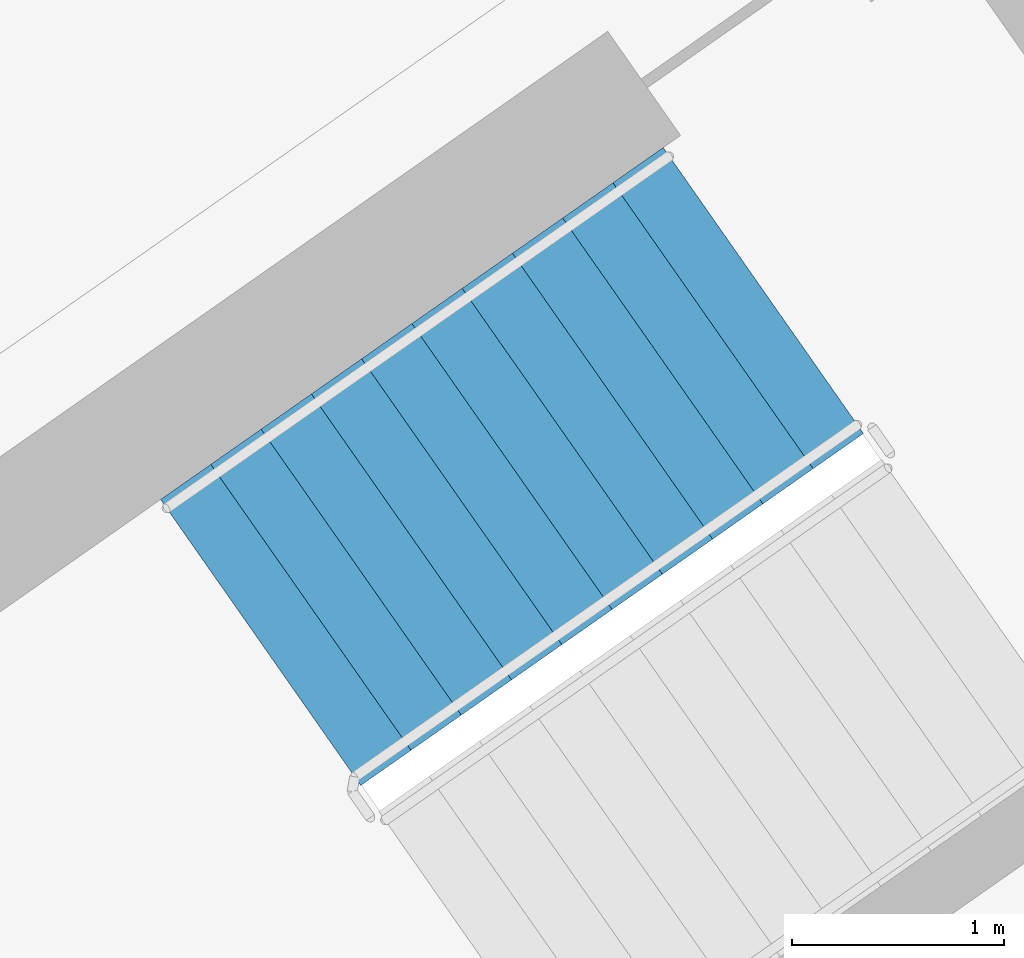
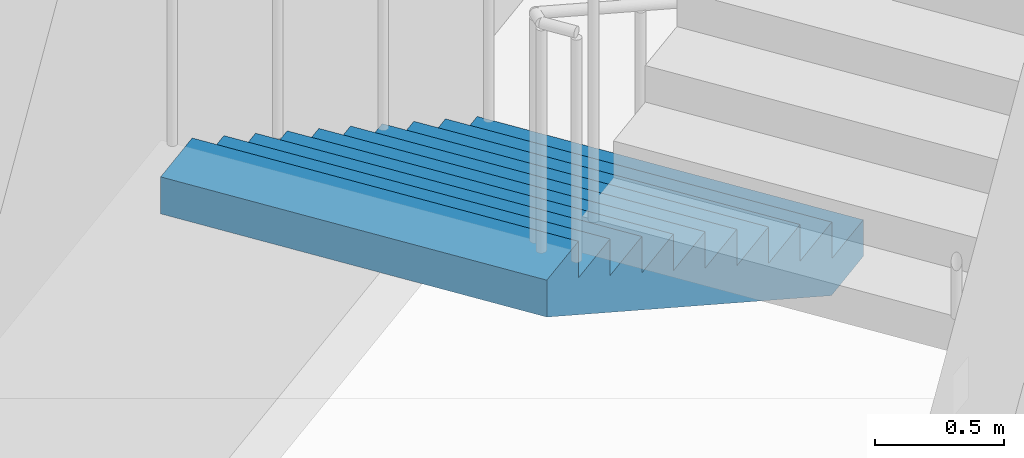
# One storey, part 16 of 29: 1 stair flight, 1 element without a shape of its own.
"""IFC4 building model written with IfcOpenShell, lengths in metres."""

from ifc_helpers import new_model, si_unit, direction, frame, origin, place, context, subcontext, project, spatial, faceted_brep, material, type_object, element, aggregate, save


model = new_model("IFC4")

# Units and contexts
model_context = context("Model", 3, precision=1e-05, world=origin(), true_north=direction((0.0, 1.0)))
body_context = subcontext(model_context, "Body", "Model", "MODEL_VIEW")
ifc_project = project(units=[si_unit("LENGTHUNIT", "METRE"), si_unit("AREAUNIT", "SQUARE_METRE"), si_unit("VOLUMEUNIT", "CUBIC_METRE"), si_unit("PLANEANGLEUNIT", "RADIAN"), si_unit("MASSUNIT", "GRAM", prefix="KILO")], contexts=[model_context])

# Site, building, storey
site_placement = place(None, origin())
site = spatial("IfcSite", under=ifc_project, at=site_placement, CompositionType="ELEMENT")
building_placement = place(site_placement, origin())
building = spatial("IfcBuilding", under=site, at=building_placement, Name="Qamariyya Broadcast Tower", CompositionType="ELEMENT")
storey_placement = place(building_placement, frame((0.0, 0.0, 261.89990234375)))
storey = spatial("IfcBuildingStorey", under=building, at=storey_placement, Name="L63", CompositionType="ELEMENT", Elevation=261.89990234375)

# Stair, stair flight
ifc_material = material(Name="Concrete C50/60", Category="concrete")
stair_type = type_object("IfcStairType", Name="Exit stair 22 risers of 173 mm", PredefinedType="HALF_TURN_STAIR", material=ifc_material)
stair_placement = place(storey_placement, origin())
stair = element("IfcStair", 1, at=stair_placement, inside=storey, type_object=stair_type, Name="L63 Stair E2", PredefinedType="HALF_TURN_STAIR")
stair_flight_type = type_object("IfcStairFlightType", Name="Exit stair flight 11 risers of 173 mm", PredefinedType="STRAIGHT", material=ifc_material)
stair_flight_placement = place(storey_placement, frame((40.558837890625, -47.685302734375, 0.0), z_axis=(0.0, 0.0, 1.0), x_axis=(-0.819152044289, -0.573576436351, 0.0)))
stair_flight = element("IfcStairFlight", 2, at=stair_flight_placement, type_object=stair_flight_type, Name="ST-E2 flight 1", NumberOfRisers=11, NumberOfTreads=10, PredefinedType="STRAIGHT", RiserHeight=0.172727273, TreadLength=0.29, context=body_context, shape_type="Brep", body=[
    faceted_brep([(0.0, 0.824951171875, 0.0), (0.0, 0.824951171875, 0.172607421875), (0.2900390625, 0.824951171875, 0.172607421875), (0.2900390625, 0.824951171875, 0.345458984375), (0.580078125, 0.824951171875, 0.345458984375), (0.580078125, 0.824951171875, 0.51806640625), (0.8701171875, 0.824951171875, 0.51806640625), (0.8701171875, 0.824951171875, 0.69091796875), (1.159912109375, 0.824951171875, 0.69091796875), (1.159912109375, 0.824951171875, 0.863525390625), (1.449951171875, 0.824951171875, 0.863525390625), (1.449951171875, 0.824951171875, 1.036376953125), (1.739990234375, 0.824951171875, 1.036376953125), (1.739990234375, 0.824951171875, 1.208984375), (2.030029296875, 0.824951171875, 1.208984375), (2.030029296875, 0.824951171875, 1.3818359375), (2.320068359375, 0.824951171875, 1.3818359375), (2.320068359375, 0.824951171875, 1.554443359375), (2.610107421875, 0.824951171875, 1.554443359375), (2.610107421875, 0.824951171875, 1.727294921875), (2.89990234375, 0.824951171875, 1.727294921875), (2.89990234375, 0.824951171875, 1.552734375), (0.29296875, 0.824951171875, 0.0), (0.29296875, -0.824951171875, 0.0), (2.89990234375, -0.824951171875, 1.552734375), (2.89990234375, -0.824951171875, 1.727294921875), (2.610107421875, -0.824951171875, 1.727294921875), (2.610107421875, -0.824951171875, 1.554443359375), (2.320068359375, -0.824951171875, 1.554443359375), (2.320068359375, -0.824951171875, 1.3818359375), (2.030029296875, -0.824951171875, 1.3818359375), (2.030029296875, -0.824951171875, 1.208984375), (1.739990234375, -0.824951171875, 1.208984375), (1.739990234375, -0.824951171875, 1.036376953125), (1.449951171875, -0.824951171875, 1.036376953125), (1.449951171875, -0.824951171875, 0.863525390625), (1.159912109375, -0.824951171875, 0.863525390625), (1.159912109375, -0.824951171875, 0.69091796875), (0.8701171875, -0.824951171875, 0.69091796875), (0.8701171875, -0.824951171875, 0.51806640625), (0.580078125, -0.824951171875, 0.51806640625), (0.580078125, -0.824951171875, 0.345458984375), (0.2900390625, -0.824951171875, 0.345458984375), (0.2900390625, -0.824951171875, 0.172607421875), (0.0, -0.824951171875, 0.172607421875), (0.0, -0.824951171875, 0.0), (0.0, 0.10009765625, 0.0), (0.0, 0.086669921875, 0.0), (0.0, 0.0732421875, 0.0), (0.0, 0.06005859375, 0.0), (0.0, 0.046630859375, 0.0), (0.0, 0.033447265625, 0.0), (0.0, 0.02001953125, 0.0), (0.0, 0.006591796875, 0.0), (0.0, -0.006591796875, 0.0), (0.0, -0.02001953125, 0.0), (0.0, -0.033447265625, 0.0), (0.0, -0.046630859375, 0.0), (0.0, -0.06005859375, 0.0), (0.0, -0.0732421875, 0.0), (0.0, -0.086669921875, 0.0), (0.0, -0.10009765625, 0.0), (0.0, -0.10009765625, 0.172607421875), (0.0, -0.086669921875, 0.172607421875), (0.0, -0.0732421875, 0.172607421875), (0.0, -0.06005859375, 0.172607421875), (0.0, -0.046630859375, 0.172607421875), (0.0, -0.033447265625, 0.172607421875), (0.0, -0.02001953125, 0.172607421875), (0.0, -0.006591796875, 0.172607421875), (0.0, 0.006591796875, 0.172607421875), (0.0, 0.02001953125, 0.172607421875), (0.0, 0.033447265625, 0.172607421875), (0.0, 0.046630859375, 0.172607421875), (0.0, 0.06005859375, 0.172607421875), (0.0, 0.0732421875, 0.172607421875), (0.0, 0.086669921875, 0.172607421875), (0.0, 0.10009765625, 0.172607421875), (0.2900390625, -0.10009765625, 0.172607421875), (0.2900390625, -0.086669921875, 0.172607421875), (0.2900390625, -0.0732421875, 0.172607421875), (0.2900390625, -0.06005859375, 0.172607421875), (0.2900390625, -0.046630859375, 0.172607421875), (0.2900390625, -0.033447265625, 0.172607421875), (0.2900390625, -0.02001953125, 0.172607421875), (0.2900390625, -0.006591796875, 0.172607421875), (0.2900390625, 0.006591796875, 0.172607421875), (0.2900390625, 0.02001953125, 0.172607421875), (0.2900390625, 0.033447265625, 0.172607421875), (0.2900390625, 0.046630859375, 0.172607421875), (0.2900390625, 0.06005859375, 0.172607421875), (0.2900390625, 0.0732421875, 0.172607421875), (0.2900390625, 0.086669921875, 0.172607421875), (0.2900390625, 0.10009765625, 0.172607421875), (0.2900390625, -0.10009765625, 0.345458984375), (0.2900390625, -0.086669921875, 0.345458984375), (0.2900390625, -0.0732421875, 0.345458984375), (0.2900390625, -0.06005859375, 0.345458984375), (0.2900390625, -0.046630859375, 0.345458984375), (0.2900390625, -0.033447265625, 0.345458984375), (0.2900390625, -0.02001953125, 0.345458984375), (0.2900390625, -0.006591796875, 0.345458984375), (0.2900390625, 0.006591796875, 0.345458984375), (0.2900390625, 0.02001953125, 0.345458984375), (0.2900390625, 0.033447265625, 0.345458984375), (0.2900390625, 0.046630859375, 0.345458984375), (0.2900390625, 0.06005859375, 0.345458984375), (0.2900390625, 0.0732421875, 0.345458984375), (0.2900390625, 0.086669921875, 0.345458984375), (0.2900390625, 0.10009765625, 0.345458984375), (0.580078125, -0.10009765625, 0.345458984375), (0.580078125, -0.086669921875, 0.345458984375), (0.580078125, -0.0732421875, 0.345458984375), (0.580078125, -0.06005859375, 0.345458984375), (0.580078125, -0.046630859375, 0.345458984375), (0.580078125, -0.033447265625, 0.345458984375), (0.580078125, -0.02001953125, 0.345458984375), (0.580078125, -0.006591796875, 0.345458984375), (0.580078125, 0.006591796875, 0.345458984375), (0.580078125, 0.02001953125, 0.345458984375), (0.580078125, 0.033447265625, 0.345458984375), (0.580078125, 0.046630859375, 0.345458984375), (0.580078125, 0.06005859375, 0.345458984375), (0.580078125, 0.0732421875, 0.345458984375), (0.580078125, 0.086669921875, 0.345458984375), (0.580078125, 0.10009765625, 0.345458984375), (0.580078125, -0.10009765625, 0.51806640625), (0.580078125, -0.086669921875, 0.51806640625), (0.580078125, -0.0732421875, 0.51806640625), (0.580078125, -0.06005859375, 0.51806640625), (0.580078125, -0.046630859375, 0.51806640625), (0.580078125, -0.033447265625, 0.51806640625), (0.580078125, -0.02001953125, 0.51806640625), (0.580078125, -0.006591796875, 0.51806640625), (0.580078125, 0.006591796875, 0.51806640625), (0.580078125, 0.02001953125, 0.51806640625), (0.580078125, 0.033447265625, 0.51806640625), (0.580078125, 0.046630859375, 0.51806640625), (0.580078125, 0.06005859375, 0.51806640625), (0.580078125, 0.0732421875, 0.51806640625), (0.580078125, 0.086669921875, 0.51806640625), (0.580078125, 0.10009765625, 0.51806640625), (0.8701171875, -0.10009765625, 0.51806640625), (0.8701171875, -0.086669921875, 0.51806640625), (0.8701171875, -0.0732421875, 0.51806640625), (0.8701171875, -0.06005859375, 0.51806640625), (0.8701171875, -0.046630859375, 0.51806640625), (0.8701171875, -0.033447265625, 0.51806640625), (0.8701171875, -0.02001953125, 0.51806640625), (0.8701171875, -0.006591796875, 0.51806640625), (0.8701171875, 0.006591796875, 0.51806640625), (0.8701171875, 0.02001953125, 0.51806640625), (0.8701171875, 0.033447265625, 0.51806640625), (0.8701171875, 0.046630859375, 0.51806640625), (0.8701171875, 0.06005859375, 0.51806640625), (0.8701171875, 0.0732421875, 0.51806640625), (0.8701171875, 0.086669921875, 0.51806640625), (0.8701171875, 0.10009765625, 0.51806640625), (0.8701171875, -0.10009765625, 0.69091796875), (0.8701171875, -0.086669921875, 0.69091796875), (0.8701171875, -0.0732421875, 0.69091796875), (0.8701171875, -0.06005859375, 0.69091796875), (0.8701171875, -0.046630859375, 0.69091796875), (0.8701171875, -0.033447265625, 0.69091796875), (0.8701171875, -0.02001953125, 0.69091796875), (0.8701171875, -0.006591796875, 0.69091796875), (0.8701171875, 0.006591796875, 0.69091796875), (0.8701171875, 0.02001953125, 0.69091796875), (0.8701171875, 0.033447265625, 0.69091796875), (0.8701171875, 0.046630859375, 0.69091796875), (0.8701171875, 0.06005859375, 0.69091796875), (0.8701171875, 0.0732421875, 0.69091796875), (0.8701171875, 0.086669921875, 0.69091796875), (0.8701171875, 0.10009765625, 0.69091796875), (1.159912109375, -0.10009765625, 0.69091796875), (1.159912109375, -0.086669921875, 0.69091796875), (1.159912109375, -0.0732421875, 0.69091796875), (1.159912109375, -0.06005859375, 0.69091796875), (1.159912109375, -0.046630859375, 0.69091796875), (1.159912109375, -0.033447265625, 0.69091796875), (1.159912109375, -0.02001953125, 0.69091796875), (1.159912109375, -0.006591796875, 0.69091796875), (1.159912109375, 0.006591796875, 0.69091796875), (1.159912109375, 0.02001953125, 0.69091796875), (1.159912109375, 0.033447265625, 0.69091796875), (1.159912109375, 0.046630859375, 0.69091796875), (1.159912109375, 0.06005859375, 0.69091796875), (1.159912109375, 0.0732421875, 0.69091796875), (1.159912109375, 0.086669921875, 0.69091796875), (1.159912109375, 0.10009765625, 0.69091796875), (1.159912109375, -0.10009765625, 0.863525390625), (1.159912109375, -0.086669921875, 0.863525390625), (1.159912109375, -0.0732421875, 0.863525390625), (1.159912109375, -0.06005859375, 0.863525390625), (1.159912109375, -0.046630859375, 0.863525390625), (1.159912109375, -0.033447265625, 0.863525390625), (1.159912109375, -0.02001953125, 0.863525390625), (1.159912109375, -0.006591796875, 0.863525390625), (1.159912109375, 0.006591796875, 0.863525390625), (1.159912109375, 0.02001953125, 0.863525390625), (1.159912109375, 0.033447265625, 0.863525390625), (1.159912109375, 0.046630859375, 0.863525390625), (1.159912109375, 0.06005859375, 0.863525390625), (1.159912109375, 0.0732421875, 0.863525390625), (1.159912109375, 0.086669921875, 0.863525390625), (1.159912109375, 0.10009765625, 0.863525390625), (1.449951171875, -0.10009765625, 0.863525390625), (1.449951171875, -0.086669921875, 0.863525390625), (1.449951171875, -0.0732421875, 0.863525390625), (1.449951171875, -0.06005859375, 0.863525390625), (1.449951171875, -0.046630859375, 0.863525390625), (1.449951171875, -0.033447265625, 0.863525390625), (1.449951171875, -0.02001953125, 0.863525390625), (1.449951171875, -0.006591796875, 0.863525390625), (1.449951171875, 0.006591796875, 0.863525390625), (1.449951171875, 0.02001953125, 0.863525390625), (1.449951171875, 0.033447265625, 0.863525390625), (1.449951171875, 0.046630859375, 0.863525390625), (1.449951171875, 0.06005859375, 0.863525390625), (1.449951171875, 0.0732421875, 0.863525390625), (1.449951171875, 0.086669921875, 0.863525390625), (1.449951171875, 0.10009765625, 0.863525390625), (1.449951171875, -0.10009765625, 1.036376953125), (1.449951171875, -0.086669921875, 1.036376953125), (1.449951171875, -0.0732421875, 1.036376953125), (1.449951171875, -0.06005859375, 1.036376953125), (1.449951171875, -0.046630859375, 1.036376953125), (1.449951171875, -0.033447265625, 1.036376953125), (1.449951171875, -0.02001953125, 1.036376953125), (1.449951171875, -0.006591796875, 1.036376953125), (1.449951171875, 0.006591796875, 1.036376953125), (1.449951171875, 0.02001953125, 1.036376953125), (1.449951171875, 0.033447265625, 1.036376953125), (1.449951171875, 0.046630859375, 1.036376953125), (1.449951171875, 0.06005859375, 1.036376953125), (1.449951171875, 0.0732421875, 1.036376953125), (1.449951171875, 0.086669921875, 1.036376953125), (1.449951171875, 0.10009765625, 1.036376953125), (1.739990234375, -0.10009765625, 1.036376953125), (1.739990234375, -0.086669921875, 1.036376953125), (1.739990234375, -0.0732421875, 1.036376953125), (1.739990234375, -0.06005859375, 1.036376953125), (1.739990234375, -0.046630859375, 1.036376953125), (1.739990234375, -0.033447265625, 1.036376953125), (1.739990234375, -0.02001953125, 1.036376953125), (1.739990234375, -0.006591796875, 1.036376953125), (1.739990234375, 0.006591796875, 1.036376953125), (1.739990234375, 0.02001953125, 1.036376953125), (1.739990234375, 0.033447265625, 1.036376953125), (1.739990234375, 0.046630859375, 1.036376953125), (1.739990234375, 0.06005859375, 1.036376953125), (1.739990234375, 0.0732421875, 1.036376953125), (1.739990234375, 0.086669921875, 1.036376953125), (1.739990234375, 0.10009765625, 1.036376953125), (1.739990234375, -0.10009765625, 1.208984375), (1.739990234375, -0.086669921875, 1.208984375), (1.739990234375, -0.0732421875, 1.208984375), (1.739990234375, -0.06005859375, 1.208984375), (1.739990234375, -0.046630859375, 1.208984375), (1.739990234375, -0.033447265625, 1.208984375), (1.739990234375, -0.02001953125, 1.208984375), (1.739990234375, -0.006591796875, 1.208984375), (1.739990234375, 0.006591796875, 1.208984375), (1.739990234375, 0.02001953125, 1.208984375), (1.739990234375, 0.033447265625, 1.208984375), (1.739990234375, 0.046630859375, 1.208984375), (1.739990234375, 0.06005859375, 1.208984375), (1.739990234375, 0.0732421875, 1.208984375), (1.739990234375, 0.086669921875, 1.208984375), (1.739990234375, 0.10009765625, 1.208984375), (2.030029296875, -0.10009765625, 1.208984375), (2.030029296875, -0.086669921875, 1.208984375), (2.030029296875, -0.0732421875, 1.208984375), (2.030029296875, -0.06005859375, 1.208984375), (2.030029296875, -0.046630859375, 1.208984375), (2.030029296875, -0.033447265625, 1.208984375), (2.030029296875, -0.02001953125, 1.208984375), (2.030029296875, -0.006591796875, 1.208984375), (2.030029296875, 0.006591796875, 1.208984375), (2.030029296875, 0.02001953125, 1.208984375), (2.030029296875, 0.033447265625, 1.208984375), (2.030029296875, 0.046630859375, 1.208984375), (2.030029296875, 0.06005859375, 1.208984375), (2.030029296875, 0.0732421875, 1.208984375), (2.030029296875, 0.086669921875, 1.208984375), (2.030029296875, 0.10009765625, 1.208984375), (2.030029296875, -0.10009765625, 1.3818359375), (2.030029296875, -0.086669921875, 1.3818359375), (2.030029296875, -0.0732421875, 1.3818359375), (2.030029296875, -0.06005859375, 1.3818359375), (2.030029296875, -0.046630859375, 1.3818359375), (2.030029296875, -0.033447265625, 1.3818359375), (2.030029296875, -0.02001953125, 1.3818359375), (2.030029296875, -0.006591796875, 1.3818359375), (2.030029296875, 0.006591796875, 1.3818359375), (2.030029296875, 0.02001953125, 1.3818359375), (2.030029296875, 0.033447265625, 1.3818359375), (2.030029296875, 0.046630859375, 1.3818359375), (2.030029296875, 0.06005859375, 1.3818359375), (2.030029296875, 0.0732421875, 1.3818359375), (2.030029296875, 0.086669921875, 1.3818359375), (2.030029296875, 0.10009765625, 1.3818359375), (2.320068359375, -0.10009765625, 1.3818359375), (2.320068359375, -0.086669921875, 1.3818359375), (2.320068359375, -0.0732421875, 1.3818359375), (2.320068359375, -0.06005859375, 1.3818359375), (2.320068359375, -0.046630859375, 1.3818359375), (2.320068359375, -0.033447265625, 1.3818359375), (2.320068359375, -0.02001953125, 1.3818359375), (2.320068359375, -0.006591796875, 1.3818359375), (2.320068359375, 0.006591796875, 1.3818359375), (2.320068359375, 0.02001953125, 1.3818359375), (2.320068359375, 0.033447265625, 1.3818359375), (2.320068359375, 0.046630859375, 1.3818359375), (2.320068359375, 0.06005859375, 1.3818359375), (2.320068359375, 0.0732421875, 1.3818359375), (2.320068359375, 0.086669921875, 1.3818359375), (2.320068359375, 0.10009765625, 1.3818359375), (2.320068359375, -0.10009765625, 1.554443359375), (2.320068359375, -0.086669921875, 1.554443359375), (2.320068359375, -0.0732421875, 1.554443359375), (2.320068359375, -0.06005859375, 1.554443359375), (2.320068359375, -0.046630859375, 1.554443359375), (2.320068359375, -0.033447265625, 1.554443359375), (2.320068359375, -0.02001953125, 1.554443359375), (2.320068359375, -0.006591796875, 1.554443359375), (2.320068359375, 0.006591796875, 1.554443359375), (2.320068359375, 0.02001953125, 1.554443359375), (2.320068359375, 0.033447265625, 1.554443359375), (2.320068359375, 0.046630859375, 1.554443359375), (2.320068359375, 0.06005859375, 1.554443359375), (2.320068359375, 0.0732421875, 1.554443359375), (2.320068359375, 0.086669921875, 1.554443359375), (2.320068359375, 0.10009765625, 1.554443359375), (2.610107421875, -0.10009765625, 1.554443359375), (2.610107421875, -0.086669921875, 1.554443359375), (2.610107421875, -0.0732421875, 1.554443359375), (2.610107421875, -0.06005859375, 1.554443359375), (2.610107421875, -0.046630859375, 1.554443359375), (2.610107421875, -0.033447265625, 1.554443359375), (2.610107421875, -0.02001953125, 1.554443359375), (2.610107421875, -0.006591796875, 1.554443359375), (2.610107421875, 0.006591796875, 1.554443359375), (2.610107421875, 0.02001953125, 1.554443359375), (2.610107421875, 0.033447265625, 1.554443359375), (2.610107421875, 0.046630859375, 1.554443359375), (2.610107421875, 0.06005859375, 1.554443359375), (2.610107421875, 0.0732421875, 1.554443359375), (2.610107421875, 0.086669921875, 1.554443359375), (2.610107421875, 0.10009765625, 1.554443359375), (2.610107421875, -0.10009765625, 1.727294921875), (2.610107421875, -0.086669921875, 1.727294921875), (2.610107421875, -0.0732421875, 1.727294921875), (2.610107421875, -0.06005859375, 1.727294921875), (2.610107421875, -0.046630859375, 1.727294921875), (2.610107421875, -0.033447265625, 1.727294921875), (2.610107421875, -0.02001953125, 1.727294921875), (2.610107421875, -0.006591796875, 1.727294921875), (2.610107421875, 0.006591796875, 1.727294921875), (2.610107421875, 0.02001953125, 1.727294921875), (2.610107421875, 0.033447265625, 1.727294921875), (2.610107421875, 0.046630859375, 1.727294921875), (2.610107421875, 0.06005859375, 1.727294921875), (2.610107421875, 0.0732421875, 1.727294921875), (2.610107421875, 0.086669921875, 1.727294921875), (2.610107421875, 0.10009765625, 1.727294921875), (2.89990234375, -0.10009765625, 1.727294921875), (2.89990234375, -0.086669921875, 1.727294921875), (2.89990234375, -0.0732421875, 1.727294921875), (2.89990234375, -0.06005859375, 1.727294921875), (2.89990234375, -0.046630859375, 1.727294921875), (2.89990234375, -0.033447265625, 1.727294921875), (2.89990234375, -0.02001953125, 1.727294921875), (2.89990234375, -0.006591796875, 1.727294921875), (2.89990234375, 0.006591796875, 1.727294921875), (2.89990234375, 0.02001953125, 1.727294921875), (2.89990234375, 0.033447265625, 1.727294921875), (2.89990234375, 0.046630859375, 1.727294921875), (2.89990234375, 0.06005859375, 1.727294921875), (2.89990234375, 0.0732421875, 1.727294921875), (2.89990234375, 0.086669921875, 1.727294921875), (2.89990234375, 0.10009765625, 1.727294921875), (2.89990234375, -0.10009765625, 1.552734375), (2.89990234375, -0.086669921875, 1.552734375), (2.89990234375, -0.0732421875, 1.552734375), (2.89990234375, -0.06005859375, 1.552734375), (2.89990234375, -0.046630859375, 1.552734375), (2.89990234375, -0.033447265625, 1.552734375), (2.89990234375, -0.02001953125, 1.552734375), (2.89990234375, -0.006591796875, 1.552734375), (2.89990234375, 0.006591796875, 1.552734375), (2.89990234375, 0.02001953125, 1.552734375), (2.89990234375, 0.033447265625, 1.552734375), (2.89990234375, 0.046630859375, 1.552734375), (2.89990234375, 0.06005859375, 1.552734375), (2.89990234375, 0.0732421875, 1.552734375), (2.89990234375, 0.086669921875, 1.552734375), (2.89990234375, 0.10009765625, 1.552734375), (0.29296875, -0.10009765625, 0.0), (0.29296875, -0.086669921875, 0.0), (0.29296875, -0.0732421875, 0.0), (0.29296875, -0.06005859375, 0.0), (0.29296875, -0.046630859375, 0.0), (0.29296875, -0.033447265625, 0.0), (0.29296875, -0.02001953125, 0.0), (0.29296875, -0.006591796875, 0.0), (0.29296875, 0.006591796875, 0.0), (0.29296875, 0.02001953125, 0.0), (0.29296875, 0.033447265625, 0.0), (0.29296875, 0.046630859375, 0.0), (0.29296875, 0.06005859375, 0.0), (0.29296875, 0.0732421875, 0.0), (0.29296875, 0.086669921875, 0.0), (0.29296875, 0.10009765625, 0.0)], [[[0, 1, 2, 3, 4, 5, 6, 7, 8, 9, 10, 11, 12, 13, 14, 15, 16, 17, 18, 19, 20, 21, 22]], [[23, 24, 25, 26, 27, 28, 29, 30, 31, 32, 33, 34, 35, 36, 37, 38, 39, 40, 41, 42, 43, 44, 45]], [[0, 46, 47, 48, 49, 50, 51, 52, 53, 54, 55, 56, 57, 58, 59, 60, 61, 45, 44, 62, 63, 64, 65, 66, 67, 68, 69, 70, 71, 72, 73, 74, 75, 76, 77, 1]], [[1, 77, 76, 75, 74, 73, 72, 71, 70, 69, 68, 67, 66, 65, 64, 63, 62, 44, 43, 78, 79, 80, 81, 82, 83, 84, 85, 86, 87, 88, 89, 90, 91, 92, 93, 2]], [[2, 93, 92, 91, 90, 89, 88, 87, 86, 85, 84, 83, 82, 81, 80, 79, 78, 43, 42, 94, 95, 96, 97, 98, 99, 100, 101, 102, 103, 104, 105, 106, 107, 108, 109, 3]], [[3, 109, 108, 107, 106, 105, 104, 103, 102, 101, 100, 99, 98, 97, 96, 95, 94, 42, 41, 110, 111, 112, 113, 114, 115, 116, 117, 118, 119, 120, 121, 122, 123, 124, 125, 4]], [[4, 125, 124, 123, 122, 121, 120, 119, 118, 117, 116, 115, 114, 113, 112, 111, 110, 41, 40, 126, 127, 128, 129, 130, 131, 132, 133, 134, 135, 136, 137, 138, 139, 140, 141, 5]], [[5, 141, 140, 139, 138, 137, 136, 135, 134, 133, 132, 131, 130, 129, 128, 127, 126, 40, 39, 142, 143, 144, 145, 146, 147, 148, 149, 150, 151, 152, 153, 154, 155, 156, 157, 6]], [[6, 157, 156, 155, 154, 153, 152, 151, 150, 149, 148, 147, 146, 145, 144, 143, 142, 39, 38, 158, 159, 160, 161, 162, 163, 164, 165, 166, 167, 168, 169, 170, 171, 172, 173, 7]], [[7, 173, 172, 171, 170, 169, 168, 167, 166, 165, 164, 163, 162, 161, 160, 159, 158, 38, 37, 174, 175, 176, 177, 178, 179, 180, 181, 182, 183, 184, 185, 186, 187, 188, 189, 8]], [[8, 189, 188, 187, 186, 185, 184, 183, 182, 181, 180, 179, 178, 177, 176, 175, 174, 37, 36, 190, 191, 192, 193, 194, 195, 196, 197, 198, 199, 200, 201, 202, 203, 204, 205, 9]], [[9, 205, 204, 203, 202, 201, 200, 199, 198, 197, 196, 195, 194, 193, 192, 191, 190, 36, 35, 206, 207, 208, 209, 210, 211, 212, 213, 214, 215, 216, 217, 218, 219, 220, 221, 10]], [[10, 221, 220, 219, 218, 217, 216, 215, 214, 213, 212, 211, 210, 209, 208, 207, 206, 35, 34, 222, 223, 224, 225, 226, 227, 228, 229, 230, 231, 232, 233, 234, 235, 236, 237, 11]], [[11, 237, 236, 235, 234, 233, 232, 231, 230, 229, 228, 227, 226, 225, 224, 223, 222, 34, 33, 238, 239, 240, 241, 242, 243, 244, 245, 246, 247, 248, 249, 250, 251, 252, 253, 12]], [[12, 253, 252, 251, 250, 249, 248, 247, 246, 245, 244, 243, 242, 241, 240, 239, 238, 33, 32, 254, 255, 256, 257, 258, 259, 260, 261, 262, 263, 264, 265, 266, 267, 268, 269, 13]], [[13, 269, 268, 267, 266, 265, 264, 263, 262, 261, 260, 259, 258, 257, 256, 255, 254, 32, 31, 270, 271, 272, 273, 274, 275, 276, 277, 278, 279, 280, 281, 282, 283, 284, 285, 14]], [[14, 285, 284, 283, 282, 281, 280, 279, 278, 277, 276, 275, 274, 273, 272, 271, 270, 31, 30, 286, 287, 288, 289, 290, 291, 292, 293, 294, 295, 296, 297, 298, 299, 300, 301, 15]], [[15, 301, 300, 299, 298, 297, 296, 295, 294, 293, 292, 291, 290, 289, 288, 287, 286, 30, 29, 302, 303, 304, 305, 306, 307, 308, 309, 310, 311, 312, 313, 314, 315, 316, 317, 16]], [[16, 317, 316, 315, 314, 313, 312, 311, 310, 309, 308, 307, 306, 305, 304, 303, 302, 29, 28, 318, 319, 320, 321, 322, 323, 324, 325, 326, 327, 328, 329, 330, 331, 332, 333, 17]], [[17, 333, 332, 331, 330, 329, 328, 327, 326, 325, 324, 323, 322, 321, 320, 319, 318, 28, 27, 334, 335, 336, 337, 338, 339, 340, 341, 342, 343, 344, 345, 346, 347, 348, 349, 18]], [[18, 349, 348, 347, 346, 345, 344, 343, 342, 341, 340, 339, 338, 337, 336, 335, 334, 27, 26, 350, 351, 352, 353, 354, 355, 356, 357, 358, 359, 360, 361, 362, 363, 364, 365, 19]], [[19, 365, 364, 363, 362, 361, 360, 359, 358, 357, 356, 355, 354, 353, 352, 351, 350, 26, 25, 366, 367, 368, 369, 370, 371, 372, 373, 374, 375, 376, 377, 378, 379, 380, 381, 20]], [[20, 381, 380, 379, 378, 377, 376, 375, 374, 373, 372, 371, 370, 369, 368, 367, 366, 25, 24, 382, 383, 384, 385, 386, 387, 388, 389, 390, 391, 392, 393, 394, 395, 396, 397, 21]], [[21, 397, 396, 395, 394, 393, 392, 391, 390, 389, 388, 387, 386, 385, 384, 383, 382, 24, 23, 398, 399, 400, 401, 402, 403, 404, 405, 406, 407, 408, 409, 410, 411, 412, 413, 22]], [[22, 413, 412, 411, 410, 409, 408, 407, 406, 405, 404, 403, 402, 401, 400, 399, 398, 23, 45, 61, 60, 59, 58, 57, 56, 55, 54, 53, 52, 51, 50, 49, 48, 47, 46, 0]]]),
])
aggregate(stair, [stair_flight])

save(model, "model.ifc")
